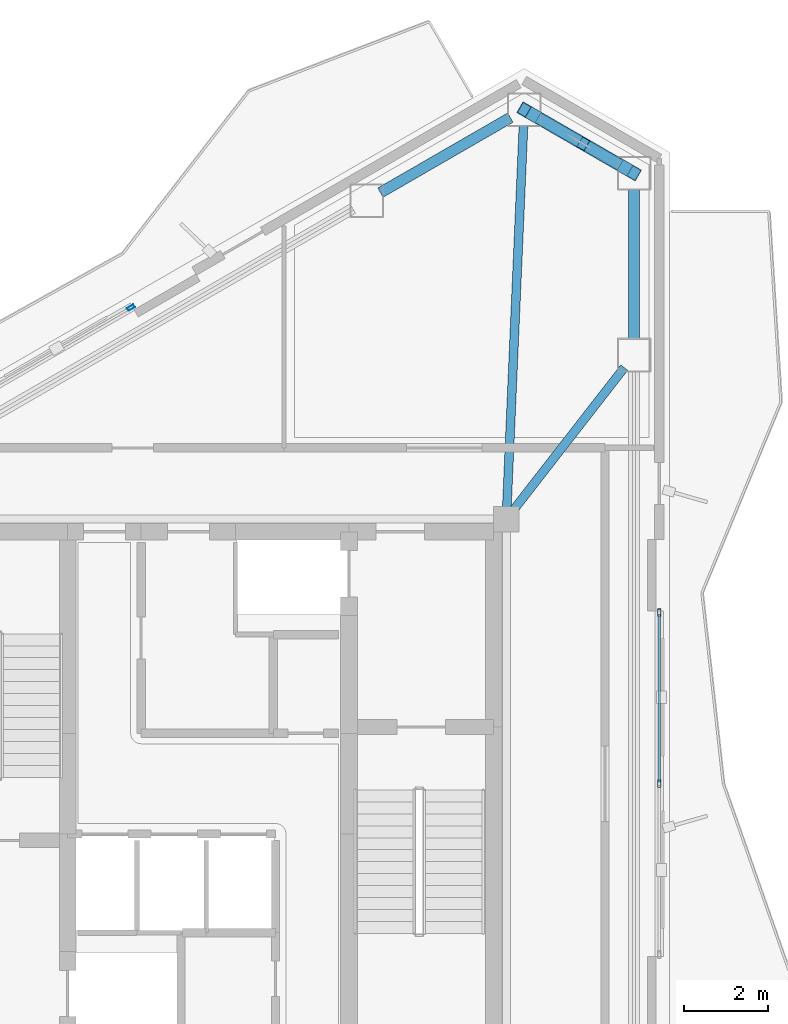
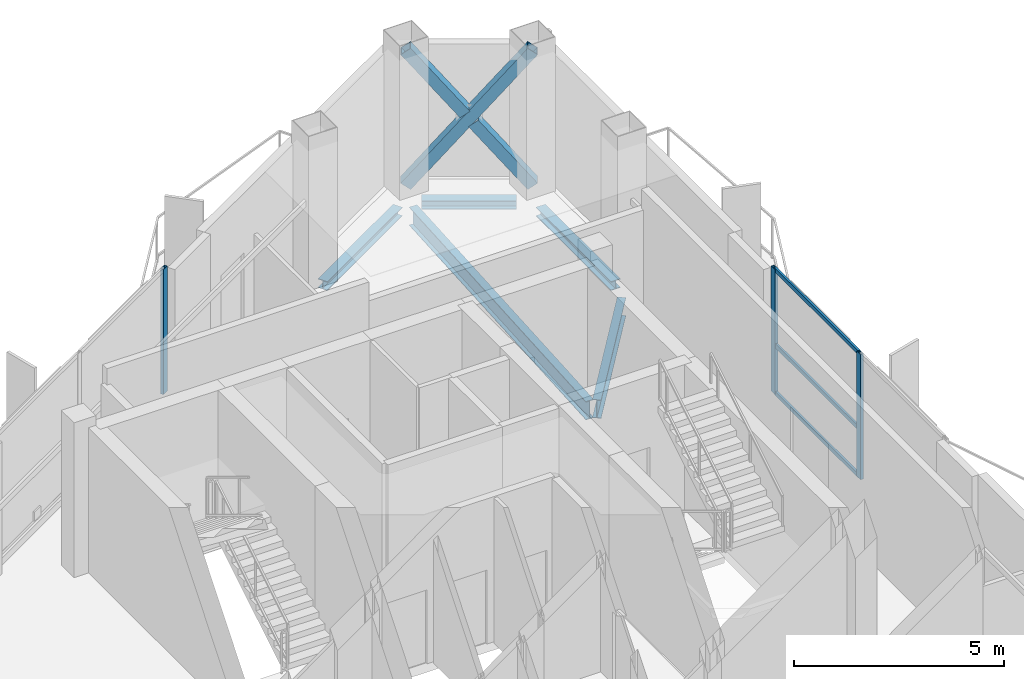
# One storey, part 8 of 14: 9 members, 5 beams, 2 elements without a shape of their own.
"""IFC4 building model written with IfcOpenShell, lengths in metres."""

from ifc_helpers import new_model, si_unit, direction, frame, origin, origin_2d, place, context, subcontext, project, spatial, hollow_rectangle, i_section, extrude, material, layer, layer_set, material_profile, profile_set, type_object, element, aggregate, save


model = new_model("IFC4")

# Units and contexts
model_context = context("Model", 3, precision=1e-05, world=origin(), true_north=direction((0.0, 1.0)))
body_context = subcontext(model_context, "Body", "Model", "MODEL_VIEW")
ifc_project = project(units=[si_unit("LENGTHUNIT", "METRE"), si_unit("AREAUNIT", "SQUARE_METRE"), si_unit("VOLUMEUNIT", "CUBIC_METRE"), si_unit("PLANEANGLEUNIT", "RADIAN"), si_unit("MASSUNIT", "GRAM", prefix="KILO")], contexts=[model_context])

# Site, building, storey
site_placement = place(None, origin())
site = spatial("IfcSite", under=ifc_project, at=site_placement, CompositionType="ELEMENT")
building_placement = place(site_placement, origin())
building = spatial("IfcBuilding", under=site, at=building_placement, Name="Mersakhor Tower and Convention Hall", CompositionType="ELEMENT")
storey_placement = place(building_placement, frame((0.0, 0.0, 249.60009765625)))
storey = spatial("IfcBuildingStorey", under=building, at=storey_placement, Name="L70", CompositionType="ELEMENT", Elevation=249.60009765625)

# Beams
ifc_material_1 = material(Name="Steel S355", Category="steel")
ifc_material_profile_1 = material_profile(ifc_material_1, i_section(OverallWidth=0.2099609375, OverallDepth=0.53662109375, WebThickness=0.0107421875, FlangeThickness=0.017333984375, at=origin_2d()), Name="UB 533x210x101")
ifc_profile_set_1 = profile_set([ifc_material_profile_1], Name="Steel S355")
beam_type_1 = type_object("IfcBeamType", Name="BM-FB-533", PredefinedType="BEAM", material=ifc_profile_set_1)
beam_1_placement = place(storey_placement, frame((36.1123046875, 33.32958984375, -0.548583984375), z_axis=(0.043540774519, 0.999051650794, 0.0), x_axis=(-0.999051650794, 0.043540774519, 0.0)))
element("IfcBeam", 1, at=beam_1_placement, inside=storey, type_object=beam_type_1, Name="L70 Primary Floor Girder FG-2", PredefinedType="BEAM", context=body_context, shape_type="SweptSolid", body=[
    extrude(i_section(OverallWidth=0.2099609375, OverallDepth=0.53662109375, WebThickness=0.0107421875, FlangeThickness=0.017333984375, at=origin_2d()), origin(), (0.0, 0.0, 1.0), 9.10595703125),
])
beam_2_placement = place(storey_placement, frame((36.27197265625, 33.27099609375, -0.548583984375), z_axis=(0.614066533088, 0.789254263809, 0.0), x_axis=(-0.789254263809, 0.614066533088, 0.0)))
element("IfcBeam", 2, at=beam_2_placement, inside=storey, type_object=beam_type_1, Name="L70 Primary Floor Girder FG-3", PredefinedType="BEAM", context=body_context, shape_type="SweptSolid", body=[
    extrude(i_section(OverallWidth=0.2099609375, OverallDepth=0.53662109375, WebThickness=0.0107421875, FlangeThickness=0.017333984375, at=origin_2d()), origin(), (0.0, 0.0, 1.0), 4.295166015625),
])
ifc_material_2 = material(Name="Steel S355", Category="steel")
ifc_material_profile_2 = material_profile(ifc_material_2, i_section(OverallWidth=0.25634765625, OverallDepth=0.26025390625, WebThickness=0.01025390625, FlangeThickness=0.017333984375, at=origin_2d()), Name="UC 254x254x89")
ifc_profile_set_2 = profile_set([ifc_material_profile_2], Name="Steel S355")
beam_type_2 = type_object("IfcBeamType", Name="BM-SPD-UC254", PredefinedType="SPANDREL", material=ifc_profile_set_2)
beam_3_placement = place(storey_placement, frame((33.1005859375, 40.829345703125, -0.41015625), z_axis=(0.866002454009, 0.500039748071, 0.0), x_axis=(-0.500039748071, 0.866002454009, 0.0)))
element("IfcBeam", 3, at=beam_3_placement, inside=storey, type_object=beam_type_2, Name="L70 Perimeter Spandrel Beam SPB-03", PredefinedType="SPANDREL", context=body_context, shape_type="SweptSolid", body=[
    extrude(i_section(OverallWidth=0.25634765625, OverallDepth=0.26025390625, WebThickness=0.01025390625, FlangeThickness=0.017333984375, at=origin_2d()), origin(), (0.0, 0.0, 1.0), 3.574462890625),
])
beam_4_placement = place(storey_placement, frame((36.854248046875, 42.61669921875, -0.41015625), z_axis=(0.866016678684, -0.500015112013, 0.0), x_axis=(0.500015112013, 0.866016678684, 0.0)))
element("IfcBeam", 4, at=beam_4_placement, inside=storey, type_object=beam_type_2, Name="L70 Perimeter Spandrel Beam SPB-04", PredefinedType="SPANDREL", context=body_context, shape_type="SweptSolid", body=[
    extrude(i_section(OverallWidth=0.25634765625, OverallDepth=0.26025390625, WebThickness=0.01025390625, FlangeThickness=0.017333984375, at=origin_2d()), origin(), (0.0, 0.0, 1.0), 2.2626953125),
])
beam_5_placement = place(storey_placement, frame((39.142822265625, 40.915283203125, -0.41015625), z_axis=(0.0, -1.0, 0.0), x_axis=(1.0, 0.0, 0.0)))
element("IfcBeam", 5, at=beam_5_placement, inside=storey, type_object=beam_type_2, Name="L70 Perimeter Spandrel Beam SPB-05", PredefinedType="SPANDREL", context=body_context, shape_type="SweptSolid", body=[
    extrude(i_section(OverallWidth=0.25634765625, OverallDepth=0.26025390625, WebThickness=0.01025390625, FlangeThickness=0.017333984375, at=origin_2d()), origin(), (0.0, 0.0, 1.0), 3.574462890625),
])

# Curtain wall, member
ifc_material_3 = material(Name="Dark solar low-E aluminium curtain wall", Category="aluminium")
ifc_layer = layer(ifc_material_3, 0.2099609375)
ifc_layer_set = layer_set([ifc_layer], Name="Dark solar low-E aluminium curtain wall")
curtain_wall_type = type_object("IfcCurtainWallType", Name="CW-SYS-06", PredefinedType="USERDEFINED", material=ifc_layer_set)
curtain_wall_1_placement = place(storey_placement, origin())
curtain_wall_1 = element("IfcCurtainWall", 6, at=curtain_wall_1_placement, inside=storey, type_object=curtain_wall_type, Name="L70 Dark-Glass Curtain Wall F1-B2", ObjectType="CURTAIN WALL", PredefinedType="USERDEFINED")
ifc_material_4 = material(Name="Anodised aluminium EN AW-6063 T6", Category="aluminium")
ifc_material_profile_3 = material_profile(ifc_material_4, hollow_rectangle(XDim=0.080078125, YDim=0.179931640625, WallThickness=0.008056640625, at=origin_2d()), Name="RHS 180x80x8")
ifc_profile_set_3 = profile_set([ifc_material_profile_3], Name="Anodised aluminium EN AW-6063 T6")
member_type_1 = type_object("IfcMemberType", Name="CWM-180x80", PredefinedType="MULLION", material=ifc_profile_set_3)
member_1_placement = place(storey_placement, frame((27.15673828125, 38.090576171875, 0.199951171875), z_axis=(0.0, 0.0, 1.0), x_axis=(-0.500004411169, 0.86602285698, 0.0)))
member_1 = element("IfcMember", 7, at=member_1_placement, type_object=member_type_1, Name="CW-06 mullion 3", PredefinedType="MULLION", context=body_context, shape_type="SweptSolid", body=[
    extrude(hollow_rectangle(XDim=0.080078125, YDim=0.179931640625, WallThickness=0.008056640625, at=origin_2d()), origin(), (0.0, 0.0, 1.0), 3.639892578125),
])
aggregate(curtain_wall_1, [member_1])

# Curtain wall, members
curtain_wall_2_placement = place(storey_placement, origin())
curtain_wall_2 = element("IfcCurtainWall", 8, at=curtain_wall_2_placement, inside=storey, type_object=curtain_wall_type, Name="L70 Dark-Glass Curtain Wall F2-B2", ObjectType="CURTAIN WALL", PredefinedType="USERDEFINED")
member_2_placement = place(storey_placement, frame((39.742919921875, 30.823974609375, 0.199951171875), z_axis=(0.0, 0.0, 1.0), x_axis=(1.0, 0.0, 0.0)))
member_2 = element("IfcMember", 9, at=member_2_placement, type_object=member_type_1, Name="CW-06 mullion 1", PredefinedType="MULLION", context=body_context, shape_type="SweptSolid", body=[
    extrude(hollow_rectangle(XDim=0.080078125, YDim=0.179931640625, WallThickness=0.008056640625, at=origin_2d()), origin(), (0.0, 0.0, 1.0), 3.639892578125),
])
member_3_placement = place(storey_placement, frame((39.742919921875, 26.75, 0.199951171875), z_axis=(0.0, 0.0, 1.0), x_axis=(1.0, 0.0, 0.0)))
member_3 = element("IfcMember", 10, at=member_3_placement, type_object=member_type_1, Name="CW-06 mullion 2", PredefinedType="MULLION", context=body_context, shape_type="SweptSolid", body=[
    extrude(hollow_rectangle(XDim=0.080078125, YDim=0.179931640625, WallThickness=0.008056640625, at=origin_2d()), origin(), (0.0, 0.0, 1.0), 3.639892578125),
])
ifc_material_5 = material(Name="Anodised aluminium EN AW-6063 T6", Category="aluminium")
ifc_material_profile_4 = material_profile(ifc_material_5, hollow_rectangle(XDim=0.06005859375, YDim=0.1201171875, WallThickness=0.0048828125, at=origin_2d()), Name="RHS 120x60x5")
ifc_profile_set_4 = profile_set([ifc_material_profile_4], Name="Anodised aluminium EN AW-6063 T6")
member_type_2 = type_object("IfcMemberType", Name="CWT-120x60", PredefinedType="USERDEFINED", material=ifc_profile_set_4)
member_4_placement = place(storey_placement, frame((39.742919921875, 30.783935546875, 0.22998046875), z_axis=(0.0, -1.0, 0.0), x_axis=(1.0, 0.0, 0.0)))
member_4 = element("IfcMember", 11, at=member_4_placement, type_object=member_type_2, Name="CW-06 transom 1.1", ObjectType="TRANSOM", PredefinedType="USERDEFINED", context=body_context, shape_type="SweptSolid", body=[
    extrude(hollow_rectangle(XDim=0.06005859375, YDim=0.1201171875, WallThickness=0.0048828125, at=origin_2d()), origin(), (0.0, 0.0, 1.0), 3.993896484375),
])
member_5_placement = place(storey_placement, frame((39.742919921875, 30.783935546875, 1.619873046875), z_axis=(0.0, -1.0, 0.0), x_axis=(1.0, 0.0, 0.0)))
member_5 = element("IfcMember", 12, at=member_5_placement, type_object=member_type_2, Name="CW-06 transom 1.2", ObjectType="TRANSOM", PredefinedType="USERDEFINED", context=body_context, shape_type="SweptSolid", body=[
    extrude(hollow_rectangle(XDim=0.06005859375, YDim=0.1201171875, WallThickness=0.0048828125, at=origin_2d()), origin(), (0.0, 0.0, 1.0), 3.993896484375),
])
member_6_placement = place(storey_placement, frame((39.742919921875, 30.783935546875, 3.809814453125), z_axis=(0.0, -1.0, 0.0), x_axis=(1.0, 0.0, 0.0)))
member_6 = element("IfcMember", 13, at=member_6_placement, type_object=member_type_2, Name="CW-06 transom 1.3", ObjectType="TRANSOM", PredefinedType="USERDEFINED", context=body_context, shape_type="SweptSolid", body=[
    extrude(hollow_rectangle(XDim=0.06005859375, YDim=0.1201171875, WallThickness=0.0048828125, at=origin_2d()), origin(), (0.0, 0.0, 1.0), 3.993896484375),
])
aggregate(curtain_wall_2, [member_2, member_3, member_4, member_5, member_6])

# Members
ifc_material_6 = material(Name="Steel S355", Category="steel")
ifc_material_profile_5 = material_profile(ifc_material_6, hollow_rectangle(XDim=0.300048828125, YDim=0.300048828125, WallThickness=0.01611328125, at=origin_2d()), Name="SHS 300x300x16")
ifc_profile_set_5 = profile_set([ifc_material_profile_5], Name="Steel S355")
member_type_3 = type_object("IfcMemberType", Name="MB-BRC-SHS300", PredefinedType="BRACE", material=ifc_profile_set_5)
member_7_placement = place(storey_placement, frame((36.525146484375, 42.806640625, 0.14990234375), z_axis=(0.528830603885, -0.305303249212, 0.791914211525), x_axis=(0.499978822259, 0.866037630414, 0.0)))
element("IfcMember", 14, at=member_7_placement, inside=storey, type_object=member_type_3, Name="L70 Chamfer Braced Frame Diagonal CB-1A", PredefinedType="BRACE", context=body_context, shape_type="SweptSolid", body=[
    extrude(hollow_rectangle(XDim=0.300048828125, YDim=0.300048828125, WallThickness=0.01611328125, at=origin_2d()), origin(), (0.0, 0.0, 1.0), 4.949951171875),
])
for number, where, z_axis, x_axis, name in (
    (15, (39.142822265625, 41.29541015625, 0.14990234375), (-0.528851330533, 0.305293369922, 0.791904178847), (-0.499951990857, -0.866053120102, 0.0), "L70 Chamfer Braced Frame Diagonal CB-1B Lower Half"),
    (16, (37.747802734375, 42.1005859375, 2.239013671875), (-0.528834278571, 0.305389124127, 0.791878645168), (-0.500081682786, -0.86597823907, 0.0), "L70 Chamfer Braced Frame Diagonal CB-1B Upper Half"),
):
    element("IfcMember", number, at=place(storey_placement, frame(where, z_axis=z_axis, x_axis=x_axis)), inside=storey, type_object=member_type_3, Name=name, PredefinedType="BRACE", context=body_context, shape_type="SweptSolid", body=[
        extrude(hollow_rectangle(XDim=0.300048828125, YDim=0.300048828125, WallThickness=0.01611328125, at=origin_2d()), origin(), (0.0, 0.0, 1.0), 2.31201171875),
    ])

save(model, "model.ifc")
